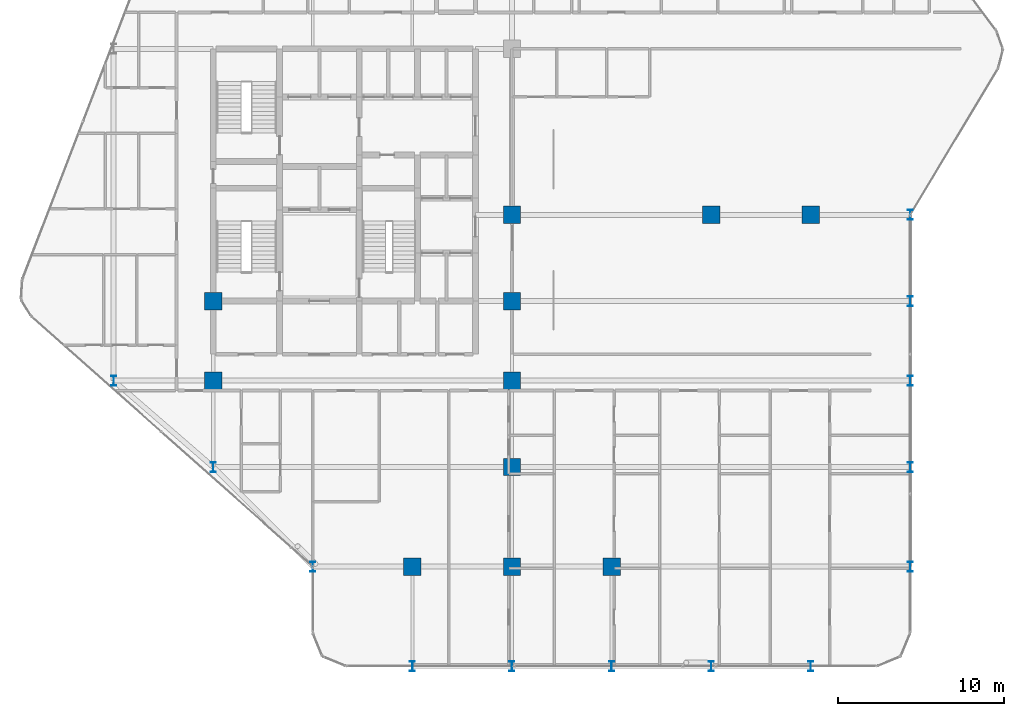
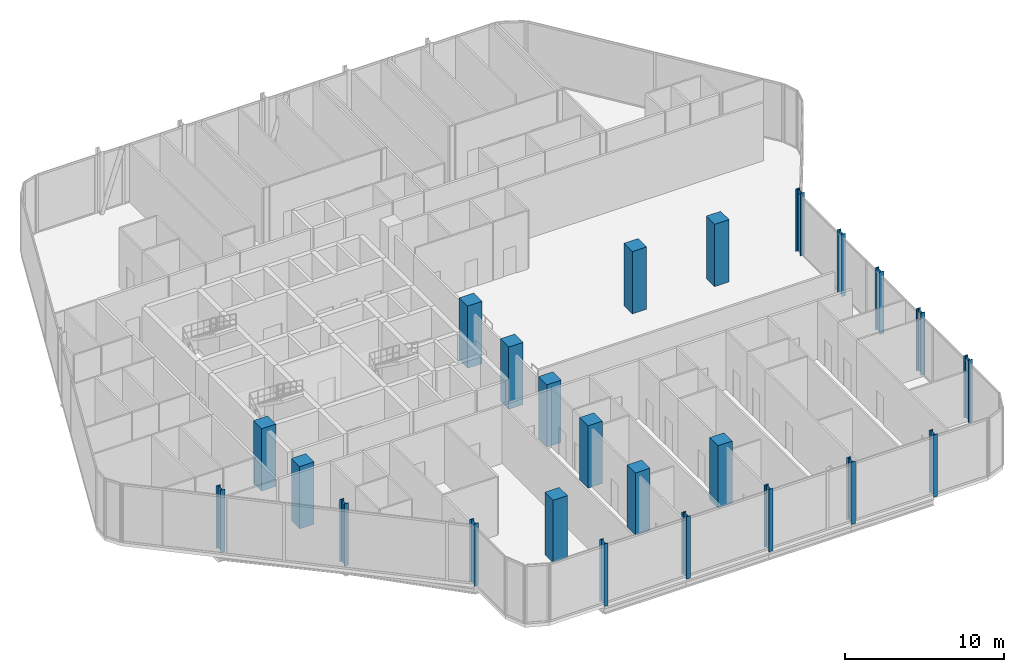
# One storey, part 1 of 29: 24 columns.
"""IFC4 building model written with IfcOpenShell, lengths in metres."""

from ifc_helpers import new_model, si_unit, direction, frame, origin, origin_2d, place, context, subcontext, project, spatial, rectangle, i_section, extrude, material, material_profile, profile_set, type_object, element, save


model = new_model("IFC4")

# Units and contexts
model_context = context("Model", 3, precision=1e-05, world=origin(), true_north=direction((0.0, 1.0)))
body_context = subcontext(model_context, "Body", "Model", "MODEL_VIEW")
ifc_project = project(units=[si_unit("LENGTHUNIT", "METRE"), si_unit("AREAUNIT", "SQUARE_METRE"), si_unit("VOLUMEUNIT", "CUBIC_METRE"), si_unit("PLANEANGLEUNIT", "RADIAN"), si_unit("MASSUNIT", "GRAM", prefix="KILO")], contexts=[model_context])

# Site, building, storey
site_placement = place(None, origin())
site = spatial("IfcSite", under=ifc_project, at=site_placement, CompositionType="ELEMENT")
building_placement = place(site_placement, origin())
building = spatial("IfcBuilding", under=site, at=building_placement, Name="Keshet Zoharim Tower", CompositionType="ELEMENT")
storey_placement = place(building_placement, frame((0.0, 0.0, 120.5)))
storey = spatial("IfcBuildingStorey", under=building, at=storey_placement, Name="L29", CompositionType="ELEMENT", Elevation=120.5)

# Columns
ifc_material_1 = material(Name="Steel S355", Category="steel")
ifc_material_profile_1 = material_profile(ifc_material_1, i_section(OverallWidth=0.300048828125, OverallDepth=0.60009765625, WebThickness=0.015380859375, FlangeThickness=0.030029296875, FilletRadius=0.027099609375, at=origin_2d()), Name="HEB600")
ifc_profile_set_1 = profile_set([ifc_material_profile_1], Name="Steel S355")
column_type_1 = type_object("IfcColumnType", Name="COL-HEB600", PredefinedType="COLUMN", material=ifc_profile_set_1)
for number, where, z_axis, x_axis, name in (
    (1, (9.0, 17.89990234375, 0.0), (0.0, 0.0, 1.0), (1.0, 0.0, 0.0), "L29 Column 2D"),
    (2, (15.0, 12.699951171875, 0.0), (0.0, 0.0, 1.0), (1.0, 0.0, 0.0), "L29 Column 3C"),
    (3, (21.0, 6.699951171875, 0.0), (0.0, 0.0, 1.0), (1.0, 0.0, 0.0), "L29 Column 4B"),
    (4, (27.0, 0.699951171875, 0.0), (0.0, 0.0, 1.0), (1.0, 0.0, 0.0), "L29 Column 5A"),
    (5, (33.0, 0.699951171875, 0.0), (0.0, 0.0, 1.0), (1.0, 0.0, 0.0), "L29 Column 6A"),
    (6, (39.0, 0.699951171875, 0.0), (0.0, 0.0, 1.0), (1.0, 0.0, 0.0), "L29 Column 7A"),
    (7, (45.0, 0.699951171875, 0.0), (0.0, 0.0, 1.0), (1.0, 0.0, 0.0), "L29 Column 8A"),
    (8, (51.0, 0.699951171875, 0.0), (0.0, 0.0, 1.0), (1.0, 0.0, 0.0), "L29 Column 9A"),
    (9, (57.0, 6.699951171875, 0.0), (0.0, 0.0, 1.0), (1.0, 0.0, 0.0), "L29 Column 10B"),
    (10, (57.0, 12.699951171875, 0.0), (0.0, 0.0, 1.0), (1.0, 0.0, 0.0), "L29 Column 10C"),
    (11, (57.0, 17.89990234375, 0.0), (0.0, 0.0, 1.0), (1.0, 0.0, 0.0), "L29 Column 10D"),
    (12, (57.0, 22.699951171875, 0.0), (0.0, 0.0, 1.0), (1.0, 0.0, 0.0), "L29 Column 10E"),
    (13, (57.0, 27.89990234375, 0.0), (0.0, 0.0, 1.0), (1.0, 0.0, 0.0), "L29 Column 10F"),
):
    element("IfcColumn", number, at=place(storey_placement, frame(where, z_axis=z_axis, x_axis=x_axis)), inside=storey, type_object=column_type_1, Name=name, PredefinedType="COLUMN", context=body_context, shape_type="SweptSolid", body=[
        extrude(i_section(OverallWidth=0.300048828125, OverallDepth=0.60009765625, WebThickness=0.015380859375, FlangeThickness=0.030029296875, FilletRadius=0.027099609375, at=origin_2d()), origin(), (0.0, 0.0, 1.0), 4.800048828125),
    ])
ifc_material_2 = material(Name="Concrete C60/75", Category="concrete")
ifc_material_profile_2 = material_profile(ifc_material_2, rectangle(XDim=1.050048828125, YDim=1.050048828125, at=origin_2d()), Name="RC1050x1050")
ifc_profile_set_2 = profile_set([ifc_material_profile_2], Name="Concrete C60/75")
column_type_2 = type_object("IfcColumnType", Name="COL-RC1050", PredefinedType="COLUMN", material=ifc_profile_set_2)
for number, where, z_axis, x_axis, name in (
    (14, (15.0, 17.89990234375, 0.0), (0.0, 0.0, 1.0), (1.0, 0.0, 0.0), "L29 Column 3D"),
    (15, (15.0, 22.699951171875, 0.0), (0.0, 0.0, 1.0), (1.0, 0.0, 0.0), "L29 Column 3E"),
    (16, (27.0, 6.699951171875, 0.0), (0.0, 0.0, 1.0), (1.0, 0.0, 0.0), "L29 Column 5B"),
    (17, (33.0, 6.699951171875, 0.0), (0.0, 0.0, 1.0), (1.0, 0.0, 0.0), "L29 Column 6B"),
    (18, (33.0, 12.699951171875, 0.0), (0.0, 0.0, 1.0), (1.0, 0.0, 0.0), "L29 Column 6C"),
    (19, (33.0, 17.89990234375, 0.0), (0.0, 0.0, 1.0), (1.0, 0.0, 0.0), "L29 Column 6D"),
    (20, (33.0, 22.699951171875, 0.0), (0.0, 0.0, 1.0), (1.0, 0.0, 0.0), "L29 Column 6E"),
    (21, (33.0, 27.89990234375, 0.0), (0.0, 0.0, 1.0), (1.0, 0.0, 0.0), "L29 Column 6F"),
    (22, (39.0, 6.699951171875, 0.0), (0.0, 0.0, 1.0), (1.0, 0.0, 0.0), "L29 Column 7B"),
    (23, (45.0, 27.89990234375, 0.0), (0.0, 0.0, 1.0), (1.0, 0.0, 0.0), "L29 Column 8F"),
    (24, (51.0, 27.89990234375, 0.0), (0.0, 0.0, 1.0), (1.0, 0.0, 0.0), "L29 Column 9F"),
):
    element("IfcColumn", number, at=place(storey_placement, frame(where, z_axis=z_axis, x_axis=x_axis)), inside=storey, type_object=column_type_2, Name=name, PredefinedType="COLUMN", context=body_context, shape_type="SweptSolid", body=[
        extrude(rectangle(XDim=1.050048828125, YDim=1.050048828125, at=origin_2d()), origin(), (0.0, 0.0, 1.0), 4.800048828125),
    ])

save(model, "model.ifc")
